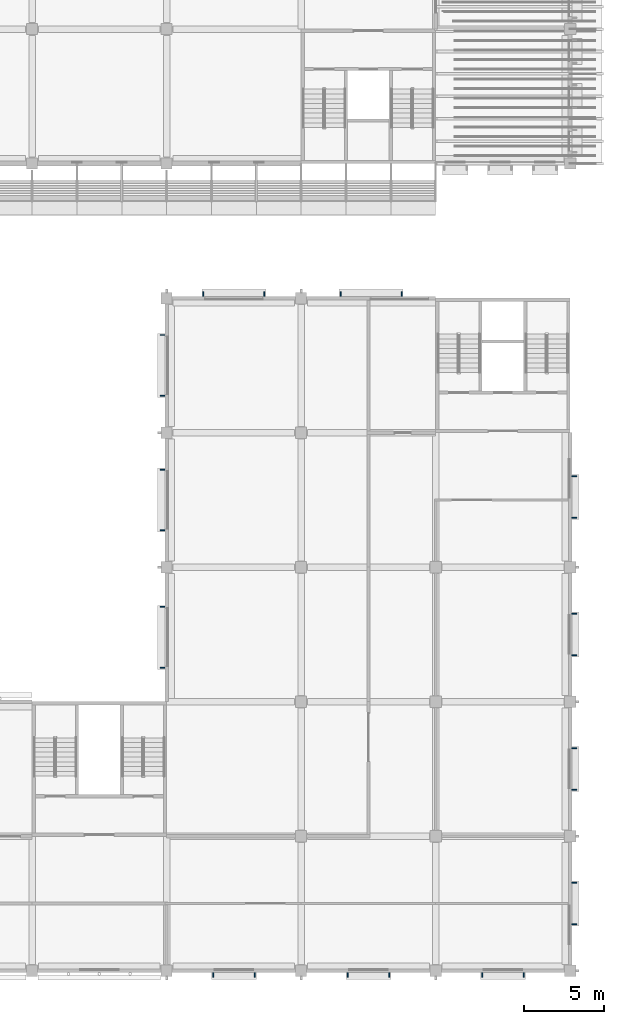
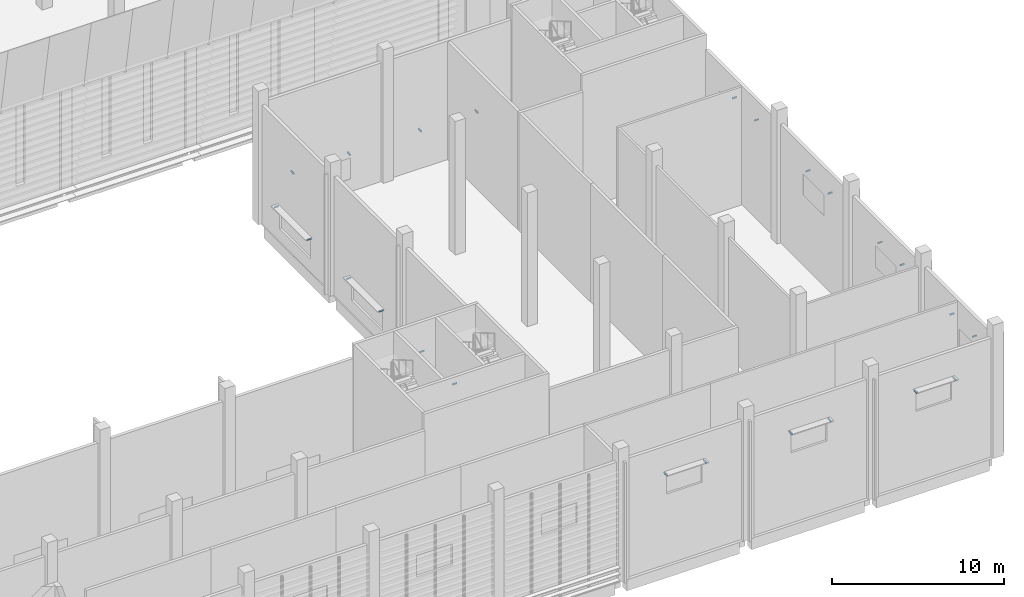
# One storey, part 68 of 114: 24 discrete accessories.
"""IFC4 building model written with IfcOpenShell, lengths in metres."""

from ifc_helpers import new_model, si_unit, direction, frame, origin, origin_2d, place, context, subcontext, project, spatial, rectangle, extrude, material, type_object, element, save


model = new_model("IFC4")

# Units and contexts
model_context = context("Model", 3, precision=1e-05, world=origin(), true_north=direction((0.0, 1.0)))
body_context = subcontext(model_context, "Body", "Model", "MODEL_VIEW")
ifc_project = project(units=[si_unit("LENGTHUNIT", "METRE"), si_unit("AREAUNIT", "SQUARE_METRE"), si_unit("VOLUMEUNIT", "CUBIC_METRE"), si_unit("PLANEANGLEUNIT", "RADIAN"), si_unit("MASSUNIT", "GRAM", prefix="KILO")], contexts=[model_context])

# Site, building, storey
site_placement = place(None, origin())
site = spatial("IfcSite", under=ifc_project, at=site_placement, CompositionType="ELEMENT")
building_placement = place(site_placement, origin())
building = spatial("IfcBuilding", under=site, at=building_placement, Name="Almond Square Museum", CompositionType="ELEMENT")
storey_placement = place(building_placement, frame((0.0, 0.0, 10.5)))
storey = spatial("IfcBuildingStorey", under=building, at=storey_placement, Name="L02", CompositionType="ELEMENT", Elevation=10.5)

# Discrete accessories
ifc_material = material(Name="Stainless steel", Category="steel")
discrete_accessory_type = type_object("IfcDiscreteAccessoryType", Name="Sun-shade blade bracket", PredefinedType="BRACKET", material=ifc_material)
for number, where, z_axis, x_axis, name in (
    (1, (134.89990234375, -0.258056640625, 6.4970703125), (0.0, 0.0, 1.0), (1.0, 0.0, 0.0), "Bracket sun-shade blade"),
    (2, (137.5, -0.258056640625, 6.4970703125), (0.0, 0.0, 1.0), (1.0, 0.0, 0.0), "Bracket sun-shade blade"),
    (3, (143.300048828125, -0.258056640625, 6.4970703125), (0.0, 0.0, 1.0), (1.0, 0.0, 0.0), "Bracket sun-shade blade"),
    (4, (145.89990234375, -0.258056640625, 6.4970703125), (0.0, 0.0, 1.0), (1.0, 0.0, 0.0), "Bracket sun-shade blade"),
    (5, (151.699951171875, -0.258056640625, 6.4970703125), (0.0, 0.0, 1.0), (1.0, 0.0, 0.0), "Bracket sun-shade blade"),
    (6, (154.300048828125, -0.258056640625, 6.4970703125), (0.0, 0.0, 1.0), (1.0, 0.0, 0.0), "Bracket sun-shade blade"),
):
    element("IfcDiscreteAccessory", number, at=place(storey_placement, frame(where, z_axis=z_axis, x_axis=x_axis)), inside=storey, type_object=discrete_accessory_type, Name=name, PredefinedType="BRACKET", context=body_context, shape_type="SweptSolid", body=[
        extrude(rectangle(XDim=0.06005859375, YDim=0.300048828125, at=origin_2d()), origin(), (0.0, 0.0, 1.0), 0.10009765625),
    ])
for number, where, z_axis, x_axis, name in (
    (7, (157.4580078125, 2.89990234375, 6.4970703125), (0.0, 0.0, 1.0), (1.0, 0.0, 0.0), "Bracket sun-shade blade"),
    (8, (157.4580078125, 5.5, 6.4970703125), (0.0, 0.0, 1.0), (1.0, 0.0, 0.0), "Bracket sun-shade blade"),
    (9, (157.4580078125, 11.300048828125, 6.4970703125), (0.0, 0.0, 1.0), (1.0, 0.0, 0.0), "Bracket sun-shade blade"),
    (10, (157.4580078125, 13.89990234375, 6.4970703125), (0.0, 0.0, 1.0), (1.0, 0.0, 0.0), "Bracket sun-shade blade"),
    (11, (157.4580078125, 19.699951171875, 6.4970703125), (0.0, 0.0, 1.0), (1.0, 0.0, 0.0), "Bracket sun-shade blade"),
    (12, (157.4580078125, 22.300048828125, 6.4970703125), (0.0, 0.0, 1.0), (1.0, 0.0, 0.0), "Bracket sun-shade blade"),
    (13, (157.4580078125, 28.27490234375, 6.4970703125), (0.0, 0.0, 1.0), (1.0, 0.0, 0.0), "Bracket sun-shade blade"),
    (14, (157.4580078125, 30.875, 6.4970703125), (0.0, 0.0, 1.0), (1.0, 0.0, 0.0), "Bracket sun-shade blade"),
):
    element("IfcDiscreteAccessory", number, at=place(storey_placement, frame(where, z_axis=z_axis, x_axis=x_axis)), inside=storey, type_object=discrete_accessory_type, Name=name, PredefinedType="BRACKET", context=body_context, shape_type="SweptSolid", body=[
        extrude(rectangle(XDim=0.300048828125, YDim=0.06005859375, at=origin_2d()), origin(), (0.0, 0.0, 1.0), 0.10009765625),
    ])
for number, where, z_axis, x_axis, name in (
    (15, (142.875, 42.258056640625, 2.39697265625), (0.0, 0.0, 1.0), (1.0, 0.0, 0.0), "Bracket sun-shade blade"),
    (16, (146.675048828125, 42.258056640625, 2.39697265625), (0.0, 0.0, 1.0), (1.0, 0.0, 0.0), "Bracket sun-shade blade"),
    (17, (134.300048828125, 42.258056640625, 2.39697265625), (0.0, 0.0, 1.0), (1.0, 0.0, 0.0), "Bracket sun-shade blade"),
    (18, (138.10009765625, 42.258056640625, 2.39697265625), (0.0, 0.0, 1.0), (1.0, 0.0, 0.0), "Bracket sun-shade blade"),
):
    element("IfcDiscreteAccessory", number, at=place(storey_placement, frame(where, z_axis=z_axis, x_axis=x_axis)), inside=storey, type_object=discrete_accessory_type, Name=name, PredefinedType="BRACKET", context=body_context, shape_type="SweptSolid", body=[
        extrude(rectangle(XDim=0.06005859375, YDim=0.300048828125, at=origin_2d()), origin(), (0.0, 0.0, 1.0), 0.10009765625),
    ])
for number, where, z_axis, x_axis, name in (
    (19, (131.741943359375, 35.89990234375, 2.39697265625), (0.0, 0.0, 1.0), (1.0, 0.0, 0.0), "Bracket sun-shade blade"),
    (20, (131.741943359375, 39.699951171875, 2.39697265625), (0.0, 0.0, 1.0), (1.0, 0.0, 0.0), "Bracket sun-shade blade"),
    (21, (131.741943359375, 27.5, 2.39697265625), (0.0, 0.0, 1.0), (1.0, 0.0, 0.0), "Bracket sun-shade blade"),
    (22, (131.741943359375, 31.300048828125, 2.39697265625), (0.0, 0.0, 1.0), (1.0, 0.0, 0.0), "Bracket sun-shade blade"),
    (23, (131.741943359375, 18.925048828125, 2.39697265625), (0.0, 0.0, 1.0), (1.0, 0.0, 0.0), "Bracket sun-shade blade"),
    (24, (131.741943359375, 22.72509765625, 2.39697265625), (0.0, 0.0, 1.0), (1.0, 0.0, 0.0), "Bracket sun-shade blade"),
):
    element("IfcDiscreteAccessory", number, at=place(storey_placement, frame(where, z_axis=z_axis, x_axis=x_axis)), inside=storey, type_object=discrete_accessory_type, Name=name, PredefinedType="BRACKET", context=body_context, shape_type="SweptSolid", body=[
        extrude(rectangle(XDim=0.300048828125, YDim=0.06005859375, at=origin_2d()), origin(), (0.0, 0.0, 1.0), 0.10009765625),
    ])

save(model, "model.ifc")
